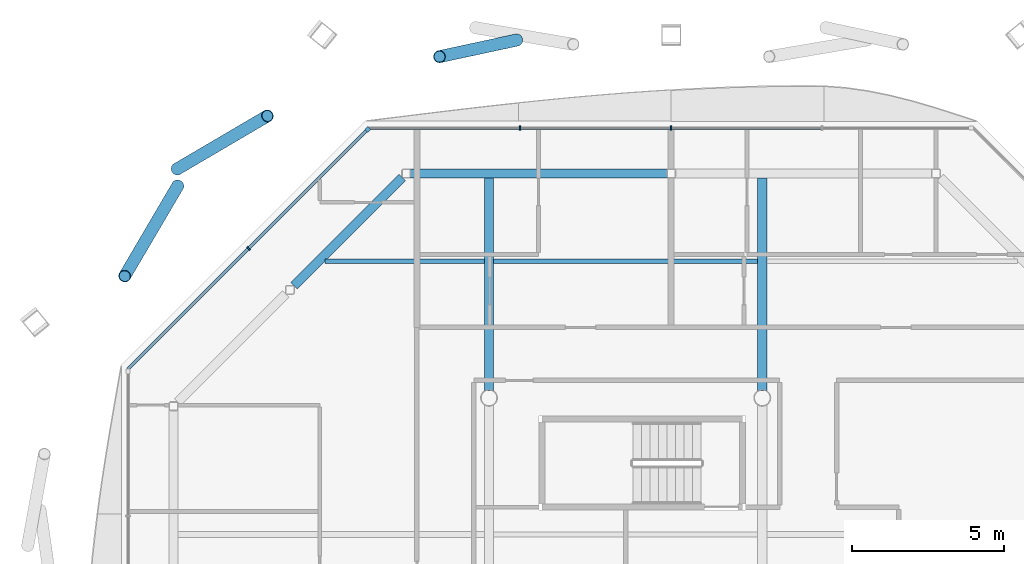
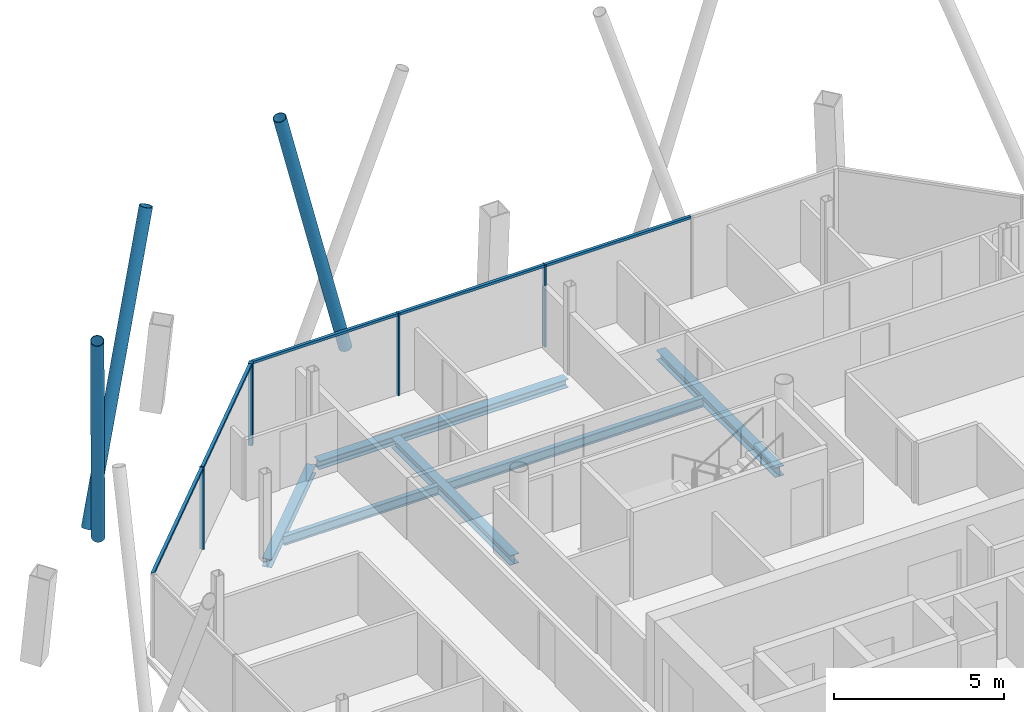
# One storey, part 9 of 17: 12 members, 6 beams, 2 elements without a shape of their own.
"""IFC4 building model written with IfcOpenShell, lengths in metres."""

from ifc_helpers import new_model, si_unit, direction, frame, origin, origin_2d, place, context, subcontext, project, spatial, rectangle, hollow_circle, i_section, extrude, material, material_profile, profile_set, type_object, element, aggregate, save


model = new_model("IFC4")

# Units and contexts
model_context = context("Model", 3, precision=1e-05, world=origin(), true_north=direction((0.0, 1.0)))
body_context = subcontext(model_context, "Body", "Model", "MODEL_VIEW")
ifc_project = project(units=[si_unit("LENGTHUNIT", "METRE"), si_unit("AREAUNIT", "SQUARE_METRE"), si_unit("VOLUMEUNIT", "CUBIC_METRE"), si_unit("PLANEANGLEUNIT", "RADIAN"), si_unit("MASSUNIT", "GRAM", prefix="KILO")], contexts=[model_context])

# Site, building, storey
site_placement = place(None, origin())
site = spatial("IfcSite", under=ifc_project, at=site_placement, CompositionType="ELEMENT")
building_placement = place(site_placement, origin())
building = spatial("IfcBuilding", under=site, at=building_placement, Name="Tskaro Facet Tower", CompositionType="ELEMENT")
storey_placement = place(building_placement, frame((0.0, 0.0, 236.10009765625)))
storey = spatial("IfcBuildingStorey", under=building, at=storey_placement, Name="L61", CompositionType="ELEMENT", Elevation=236.10009765625)

# Members
ifc_material_1 = material(Name="Steel S355J2H", Category="steel")
ifc_material_profile_1 = material_profile(ifc_material_1, hollow_circle(Radius=0.203125, WallThickness=0.02001953125, at=origin_2d()), Name="CHS 406.4x20")
ifc_profile_set_1 = profile_set([ifc_material_profile_1], Name="Steel S355J2H")
member_type_1 = type_object("IfcMemberType", Name="CHS 406.4x20 brace", PredefinedType="BRACE", material=ifc_profile_set_1)
member_1_placement = place(storey_placement, frame((-8.087890625, 20.785888671875, 0.0), z_axis=(-0.259564030333, -0.055917977939, 0.964105644574), x_axis=(0.210598831456, -0.977572571316, 0.0)))
element("IfcMember", 1, at=member_1_placement, inside=storey, type_object=member_type_1, Name="CHS 406.4x20 XB08A/5", PredefinedType="BRACE", context=body_context, shape_type="SweptSolid", body=[
    extrude(hollow_circle(Radius=0.203125, WallThickness=0.02001953125, at=origin_2d()), origin(), (0.0, 0.0, 1.0), 9.8017578125),
])
for number, where, z_axis, x_axis, name in (
    (2, (-19.249755859375, 15.98681640625, 0.0), (-0.173911453254, -0.295918818534, 0.939248028619), (0.86213587545, -0.506677147958, 0.0), "CHS 406.4x20 XB09A/5"),
    (3, (-19.274169921875, 16.537109375, 0.0), (0.295918818534, 0.173911453254, 0.939248028619), (-0.506677147958, 0.86213587545, 0.0), "CHS 406.4x20 XB09B/5"),
):
    element("IfcMember", number, at=place(storey_placement, frame(where, z_axis=z_axis, x_axis=x_axis)), inside=storey, type_object=member_type_1, Name=name, PredefinedType="BRACE", context=body_context, shape_type="SweptSolid", body=[
        extrude(hollow_circle(Radius=0.203125, WallThickness=0.02001953125, at=origin_2d()), origin(), (0.0, 0.0, 1.0), 10.061279296875),
    ])

# Curtain wall, member
ifc_material_2 = material(Name="Bronze anodised aluminium 6063-T6", Category="aluminium")
curtain_wall_type = type_object("IfcCurtainWallType", Name="Bronze residence curtain wall (FW3)", PredefinedType="NOTDEFINED", material=ifc_material_2)
curtain_wall_1_placement = place(storey_placement, origin())
curtain_wall_1 = element("IfcCurtainWall", 4, at=curtain_wall_1_placement, inside=storey, type_object=curtain_wall_type, Name="FW3 north-west facet L61", PredefinedType="NOTDEFINED")
ifc_material_profile_2 = material_profile(ifc_material_2, rectangle(XDim=0.139892578125, YDim=0.139892578125, at=origin_2d()), Name="Corner post 140x140")
ifc_profile_set_2 = profile_set([ifc_material_profile_2], Name="Bronze anodised aluminium 6063-T6")
member_type_2 = type_object("IfcMemberType", Name="FW3 bronze corner post 140x140", PredefinedType="MULLION", material=ifc_profile_set_2)
member_2_placement = place(storey_placement, frame((-12.99755859375, 17.839599609375, 0.0), z_axis=(0.0, 0.0, 1.0), x_axis=(-0.707106781187, -0.707106781187, 0.0)))
member_2 = element("IfcMember", 5, at=member_2_placement, type_object=member_type_2, Name="FW3 north-west corner post", PredefinedType="MULLION", context=body_context, shape_type="SweptSolid", body=[
    extrude(rectangle(XDim=0.139892578125, YDim=0.139892578125, at=origin_2d()), origin(), (0.0, 0.0, 1.0), 2.949951171875),
])

# Curtain wall, members
curtain_wall_2_placement = place(storey_placement, origin())
curtain_wall_2 = element("IfcCurtainWall", 6, at=curtain_wall_2_placement, inside=storey, type_object=curtain_wall_type, Name="FW3 north facet L61", PredefinedType="NOTDEFINED")
ifc_material_profile_3 = material_profile(ifc_material_2, rectangle(XDim=0.050048828125, YDim=0.139892578125, at=origin_2d()), Name="Mullion 50x140")
ifc_profile_set_3 = profile_set([ifc_material_profile_3], Name="Bronze anodised aluminium 6063-T6")
member_type_3 = type_object("IfcMemberType", Name="FW3 bronze mullion 50x140", PredefinedType="MULLION", material=ifc_profile_set_3)
member_3_placement = place(storey_placement, frame((-3.0, 17.888916015625, 0.0), z_axis=(0.0, 0.0, 1.0), x_axis=(-1.0, 0.0, 0.0)))
member_3 = element("IfcMember", 7, at=member_3_placement, type_object=member_type_3, Name="FW3 north mullion 2", PredefinedType="MULLION", context=body_context, shape_type="SweptSolid", body=[
    extrude(rectangle(XDim=0.050048828125, YDim=0.139892578125, at=origin_2d()), origin(), (0.0, 0.0, 1.0), 2.949951171875),
])
member_4_placement = place(storey_placement, frame((-7.97412109375, 17.888916015625, 0.0), z_axis=(0.0, 0.0, 1.0), x_axis=(-1.0, 0.0, 0.0)))
member_4 = element("IfcMember", 8, at=member_4_placement, type_object=member_type_3, Name="FW3 north mullion 3", PredefinedType="MULLION", context=body_context, shape_type="SweptSolid", body=[
    extrude(rectangle(XDim=0.050048828125, YDim=0.139892578125, at=origin_2d()), origin(), (0.0, 0.0, 1.0), 2.949951171875),
])

# Member
member_5_placement = place(storey_placement, frame((-16.91845703125, 13.91845703125, 0.0), z_axis=(0.0, 0.0, 1.0), x_axis=(-0.707106781187, -0.707106781187, 0.0)))
member_5 = element("IfcMember", 9, at=member_5_placement, type_object=member_type_3, Name="FW3 north-west mullion 1", PredefinedType="MULLION", context=body_context, shape_type="SweptSolid", body=[
    extrude(rectangle(XDim=0.050048828125, YDim=0.139892578125, at=origin_2d()), origin(), (0.0, 0.0, 1.0), 2.949951171875),
])

ifc_material_profile_4 = material_profile(ifc_material_2, rectangle(XDim=0.10009765625, YDim=0.090087890625, at=origin_2d()), Name="Transom 100x90")
ifc_profile_set_4 = profile_set([ifc_material_profile_4], Name="Bronze anodised aluminium 6063-T6")
member_type_4 = type_object("IfcMemberType", Name="FW3 bronze transom 100x90", PredefinedType="USERDEFINED", material=ifc_profile_set_4)
member_6_placement = place(storey_placement, frame((1.948974609375, 17.888916015625, 2.90478515625), z_axis=(-1.0, 0.0, 0.0), x_axis=(0.0, -1.0, 0.0)))
member_6 = element("IfcMember", 10, at=member_6_placement, type_object=member_type_4, Name="FW3 north transom 2.1", ObjectType="TRANSOM", PredefinedType="USERDEFINED", context=body_context, shape_type="SweptSolid", body=[
    extrude(rectangle(XDim=0.10009765625, YDim=0.090087890625, at=origin_2d()), origin(), (0.0, 0.0, 1.0), 4.924072265625),
])

member_7_placement = place(storey_placement, frame((-3.02490234375, 17.888916015625, 2.90478515625), z_axis=(-1.0, 0.0, 0.0), x_axis=(0.0, -1.0, 0.0)))
member_7 = element("IfcMember", 11, at=member_7_placement, type_object=member_type_4, Name="FW3 north transom 3.1", ObjectType="TRANSOM", PredefinedType="USERDEFINED", context=body_context, shape_type="SweptSolid", body=[
    extrude(rectangle(XDim=0.10009765625, YDim=0.090087890625, at=origin_2d()), origin(), (0.0, 0.0, 1.0), 4.924072265625),
])

member_8_placement = place(storey_placement, frame((-7.9990234375, 17.888916015625, 2.90478515625), z_axis=(-1.0, 0.0, 0.0), x_axis=(0.0, -1.0, 0.0)))
member_8 = element("IfcMember", 12, at=member_8_placement, type_object=member_type_4, Name="FW3 north transom 4.1", ObjectType="TRANSOM", PredefinedType="USERDEFINED", context=body_context, shape_type="SweptSolid", body=[
    extrude(rectangle(XDim=0.10009765625, YDim=0.090087890625, at=origin_2d()), origin(), (0.0, 0.0, 1.0), 4.948974609375),
])

aggregate(curtain_wall_2, [member_3, member_4, member_6, member_7, member_8])

member_9_placement = place(storey_placement, frame((-13.046875, 17.7900390625, 2.90478515625), z_axis=(-0.707129178183, -0.70708438348, 0.0), x_axis=(0.70708438348, -0.707129178183, 0.0)))
member_9 = element("IfcMember", 13, at=member_9_placement, type_object=member_type_4, Name="FW3 north-west transom 1.1", ObjectType="TRANSOM", PredefinedType="USERDEFINED", context=body_context, shape_type="SweptSolid", body=[
    extrude(rectangle(XDim=0.10009765625, YDim=0.090087890625, at=origin_2d()), origin(), (0.0, 0.0, 1.0), 5.4501953125),
])

member_10_placement = place(storey_placement, frame((-16.936279296875, 13.90087890625, 2.90478515625), z_axis=(-0.70708494376, -0.707128617938, 0.0), x_axis=(0.707128617938, -0.70708494376, 0.0)))
member_10 = element("IfcMember", 14, at=member_10_placement, type_object=member_type_4, Name="FW3 north-west transom 2.1", ObjectType="TRANSOM", PredefinedType="USERDEFINED", context=body_context, shape_type="SweptSolid", body=[
    extrude(rectangle(XDim=0.10009765625, YDim=0.090087890625, at=origin_2d()), origin(), (0.0, 0.0, 1.0), 5.590087890625),
])

aggregate(curtain_wall_1, [member_2, member_5, member_9, member_10])

# Beams
ifc_material_3 = material(Name="Steel S355J2", Category="steel")
ifc_material_profile_5 = material_profile(ifc_material_3, i_section(OverallWidth=0.300048828125, OverallDepth=0.300048828125, WebThickness=0.010986328125, FlangeThickness=0.01904296875, FilletRadius=0.027099609375, at=origin_2d()), Name="HE 300 B")
ifc_profile_set_5 = profile_set([ifc_material_profile_5], Name="Steel S355J2")
beam_type_1 = type_object("IfcBeamType", Name="HE 300 B ring beam", PredefinedType="BEAM", material=ifc_profile_set_5)
beam_1_placement = place(storey_placement, frame((-3.1298828125, 16.39111328125, -0.2900390625), z_axis=(-1.0, 0.0, 0.0), x_axis=(0.0, -1.0, 0.0)))
element("IfcBeam", 15, at=beam_1_placement, inside=storey, type_object=beam_type_1, Name="HE 300 B EB11-5", PredefinedType="BEAM", context=body_context, shape_type="SweptSolid", body=[
    extrude(i_section(OverallWidth=0.300048828125, OverallDepth=0.300048828125, WebThickness=0.010986328125, FlangeThickness=0.01904296875, FilletRadius=0.027099609375, at=origin_2d()), origin(), (0.0, 0.0, 1.0), 8.465087890625),
])
beam_2_placement = place(storey_placement, frame((-11.86083984375, 16.255126953125, -0.2900390625), z_axis=(-0.707106781187, -0.707106781187, 0.0), x_axis=(0.707106781187, -0.707106781187, 0.0)))
element("IfcBeam", 16, at=beam_2_placement, inside=storey, type_object=beam_type_1, Name="HE 300 B EB12-5", PredefinedType="BEAM", context=body_context, shape_type="SweptSolid", body=[
    extrude(i_section(OverallWidth=0.300048828125, OverallDepth=0.300048828125, WebThickness=0.010986328125, FlangeThickness=0.01904296875, FilletRadius=0.027099609375, at=origin_2d()), origin(), (0.0, 0.0, 1.0), 5.036376953125),
])
ifc_material_profile_6 = material_profile(ifc_material_3, i_section(OverallWidth=0.300048828125, OverallDepth=0.35009765625, WebThickness=0.010009765625, FlangeThickness=0.017578125, FilletRadius=0.027099609375, at=origin_2d()), Name="HE 360 A")
ifc_profile_set_6 = profile_set([ifc_material_profile_6], Name="Steel S355J2")
beam_type_2 = type_object("IfcBeamType", Name="HE 360 A girder", PredefinedType="BEAM", material=ifc_profile_set_6)
for number, where, z_axis, x_axis, name in (
    (17, (-9.0, 9.24951171875, -0.315185546875), (0.0, 1.0, 0.0), (-1.0, 0.0, 0.0), "HE 360 A GB3-3-5"),
    (18, (0.0, 9.24951171875, -0.315185546875), (0.0, 1.0, 0.0), (-1.0, 0.0, 0.0), "HE 360 A GB4-3-5"),
):
    element("IfcBeam", number, at=place(storey_placement, frame(where, z_axis=z_axis, x_axis=x_axis)), inside=storey, type_object=beam_type_2, Name=name, PredefinedType="BEAM", context=body_context, shape_type="SweptSolid", body=[
        extrude(i_section(OverallWidth=0.300048828125, OverallDepth=0.35009765625, WebThickness=0.010009765625, FlangeThickness=0.017578125, FilletRadius=0.027099609375, at=origin_2d()), origin(), (0.0, 0.0, 1.0), 6.991455078125),
    ])
ifc_material_profile_7 = material_profile(ifc_material_3, i_section(OverallWidth=0.159912109375, OverallDepth=0.330078125, WebThickness=0.007568359375, FlangeThickness=0.011474609375, FilletRadius=0.01806640625, at=origin_2d()), Name="IPE 330")
ifc_profile_set_7 = profile_set([ifc_material_profile_7], Name="Steel S355J2")
beam_type_3 = type_object("IfcBeamType", Name="IPE 330 secondary beam", PredefinedType="BEAM", material=ifc_profile_set_7)
beam_3_placement = place(storey_placement, frame((-14.404052734375, 13.5, -0.30517578125), z_axis=(1.0, 0.0, 0.0), x_axis=(0.0, 1.0, 0.0)))
element("IfcBeam", 19, at=beam_3_placement, inside=storey, type_object=beam_type_3, Name="IPE 330 SB5a-1-5", PredefinedType="BEAM", context=body_context, shape_type="SweptSolid", body=[
    extrude(i_section(OverallWidth=0.159912109375, OverallDepth=0.330078125, WebThickness=0.007568359375, FlangeThickness=0.011474609375, FilletRadius=0.01806640625, at=origin_2d()), origin(), (0.0, 0.0, 1.0), 5.254150390625),
])
beam_4_placement = place(storey_placement, frame((-8.85009765625, 13.5, -0.30517578125), z_axis=(1.0, 0.0, 0.0), x_axis=(0.0, 1.0, 0.0)))
element("IfcBeam", 20, at=beam_4_placement, inside=storey, type_object=beam_type_3, Name="IPE 330 SB5a-2-5", PredefinedType="BEAM", context=body_context, shape_type="SweptSolid", body=[
    extrude(i_section(OverallWidth=0.159912109375, OverallDepth=0.330078125, WebThickness=0.007568359375, FlangeThickness=0.011474609375, FilletRadius=0.01806640625, at=origin_2d()), origin(), (0.0, 0.0, 1.0), 8.7001953125),
])

save(model, "model.ifc")
